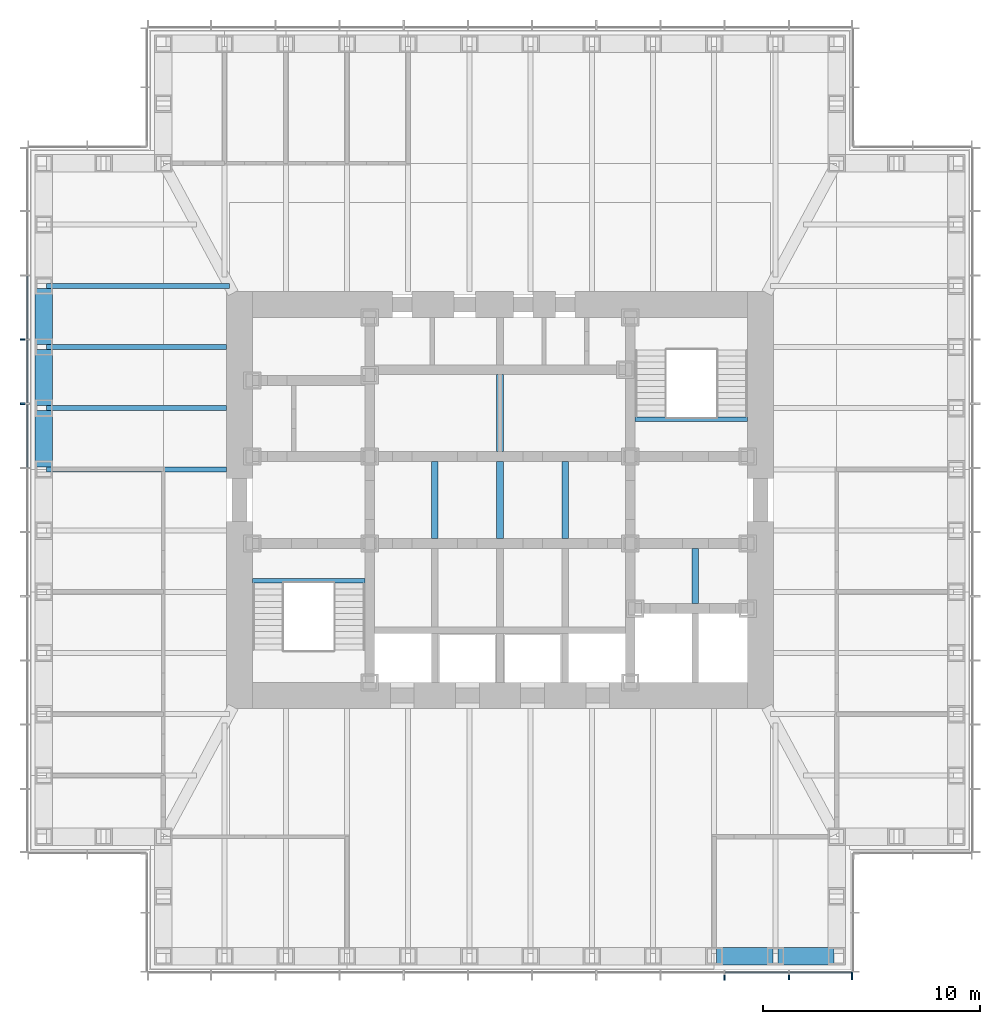
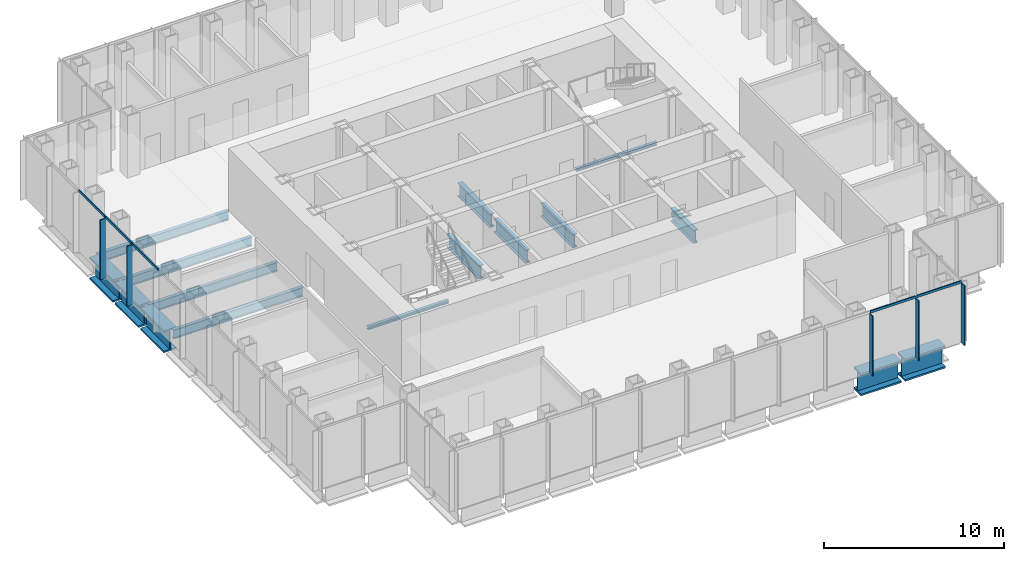
# One storey, part 3 of 16: 16 beams, 10 members, 2 elements without a shape of their own.
"""IFC4 building model written with IfcOpenShell, lengths in metres."""

from ifc_helpers import new_model, si_unit, direction, frame, origin, origin_2d, place, context, subcontext, project, spatial, rectangle, i_section, extrude, material, material_profile, profile_set, type_object, element, aggregate, save


model = new_model("IFC4")

# Units and contexts
model_context = context("Model", 3, precision=1e-05, world=origin(), true_north=direction((0.0, 1.0)))
body_context = subcontext(model_context, "Body", "Model", "MODEL_VIEW")
ifc_project = project(units=[si_unit("LENGTHUNIT", "METRE"), si_unit("AREAUNIT", "SQUARE_METRE"), si_unit("VOLUMEUNIT", "CUBIC_METRE"), si_unit("PLANEANGLEUNIT", "RADIAN"), si_unit("MASSUNIT", "GRAM", prefix="KILO")], contexts=[model_context])

# Site, building, storey
site_placement = place(None, origin())
site = spatial("IfcSite", under=ifc_project, at=site_placement, CompositionType="ELEMENT")
building_placement = place(site_placement, origin())
building = spatial("IfcBuilding", under=site, at=building_placement, Name="Daluyong Arena Tower", CompositionType="ELEMENT")
storey_placement = place(building_placement, frame((0.0, 0.0, 235.89990234375)))
storey = spatial("IfcBuildingStorey", under=building, at=storey_placement, Name="L53", CompositionType="ELEMENT", Elevation=235.89990234375)

# Curtain wall, members
ifc_material_1 = material(Name="Bronze anodised aluminium and glass", Category="aluminium")
curtain_wall_type = type_object("IfcCurtainWallType", Name="Curtain wall CW3", PredefinedType="USERDEFINED", material=ifc_material_1)
curtain_wall_1_placement = place(storey_placement, origin())
curtain_wall_1 = element("IfcCurtainWall", 1, at=curtain_wall_1_placement, inside=storey, type_object=curtain_wall_type, Name="curtain wall L53 S", ObjectType="UNITISED CURTAIN WALL", PredefinedType="USERDEFINED")
ifc_material_2 = material(Name="Bronze anodised aluminium fin", Category="aluminium")
ifc_material_profile_1 = material_profile(ifc_material_2, rectangle(XDim=0.35009765625, YDim=0.070068359375, at=origin_2d()))
ifc_profile_set_1 = profile_set([ifc_material_profile_1], Name="Bronze anodised aluminium fin")
member_type_1 = type_object("IfcMemberType", Name="CW3 bronze fin 350x70", PredefinedType="MULLION", material=ifc_profile_set_1)
member_1_placement = place(storey_placement, frame((66.3408203125, 58.074951171875, 0.0), z_axis=(0.0, 0.0, 1.0), x_axis=(0.0, 1.0, 0.0)))
member_1 = element("IfcMember", 2, at=member_1_placement, type_object=member_type_1, Name="curtain wall L53 S fin 10", PredefinedType="MULLION", context=body_context, shape_type="SweptSolid", body=[
    extrude(rectangle(XDim=0.35009765625, YDim=0.070068359375, at=origin_2d()), origin(), (0.0, 0.0, 1.0), 4.0400390625),
])
member_2_placement = place(storey_placement, frame((69.29541015625, 58.074951171875, 0.0), z_axis=(0.0, 0.0, 1.0), x_axis=(0.0, 1.0, 0.0)))
member_2 = element("IfcMember", 3, at=member_2_placement, type_object=member_type_1, Name="curtain wall L53 S fin 11", PredefinedType="MULLION", context=body_context, shape_type="SweptSolid", body=[
    extrude(rectangle(XDim=0.35009765625, YDim=0.070068359375, at=origin_2d()), origin(), (0.0, 0.0, 1.0), 4.0400390625),
])
member_3_placement = place(storey_placement, frame((72.215087890625, 58.074951171875, 0.0), z_axis=(0.0, 0.0, 1.0), x_axis=(0.0, 1.0, 0.0)))
member_3 = element("IfcMember", 4, at=member_3_placement, type_object=member_type_1, Name="curtain wall L53 S fin 12", PredefinedType="MULLION", context=body_context, shape_type="SweptSolid", body=[
    extrude(rectangle(XDim=0.35009765625, YDim=0.070068359375, at=origin_2d()), origin(), (0.0, 0.0, 1.0), 4.0400390625),
])

curtain_wall_2_placement = place(storey_placement, origin())
curtain_wall_2 = element("IfcCurtainWall", 5, at=curtain_wall_2_placement, inside=storey, type_object=curtain_wall_type, Name="curtain wall L53 W", ObjectType="UNITISED CURTAIN WALL", PredefinedType="USERDEFINED")
member_4_placement = place(storey_placement, frame((34.074951171875, 87.386474609375, 0.0), z_axis=(0.0, 0.0, 1.0), x_axis=(1.0, 0.0, 0.0)))
member_4 = element("IfcMember", 6, at=member_4_placement, type_object=member_type_1, Name="curtain wall L53 W fin 4", PredefinedType="MULLION", context=body_context, shape_type="SweptSolid", body=[
    extrude(rectangle(XDim=0.35009765625, YDim=0.070068359375, at=origin_2d()), origin(), (0.0, 0.0, 1.0), 4.0400390625),
])
member_5_placement = place(storey_placement, frame((34.074951171875, 84.431884765625, 0.0), z_axis=(0.0, 0.0, 1.0), x_axis=(1.0, 0.0, 0.0)))
member_5 = element("IfcMember", 7, at=member_5_placement, type_object=member_type_1, Name="curtain wall L53 W fin 5", PredefinedType="MULLION", context=body_context, shape_type="SweptSolid", body=[
    extrude(rectangle(XDim=0.35009765625, YDim=0.070068359375, at=origin_2d()), origin(), (0.0, 0.0, 1.0), 4.0400390625),
])

# Member
ifc_material_3 = material(Name="Bronze anodised aluminium", Category="aluminium")
ifc_material_profile_2 = material_profile(ifc_material_3, rectangle(XDim=0.070068359375, YDim=0.159912109375, at=origin_2d()))
ifc_profile_set_2 = profile_set([ifc_material_profile_2], Name="Bronze anodised aluminium")
member_type_2 = type_object("IfcMemberType", Name="CW3 stack transom 160x70", PredefinedType="USERDEFINED", material=ifc_profile_set_2)
member_6_placement = place(storey_placement, frame((66.3759765625, 58.25, 4.1201171875), z_axis=(1.0, 0.0, 0.0), x_axis=(0.0, 1.0, 0.0)))
member_6 = element("IfcMember", 8, at=member_6_placement, type_object=member_type_2, Name="curtain wall L53 S transom 10", ObjectType="TRANSOM", PredefinedType="USERDEFINED", context=body_context, shape_type="SweptSolid", body=[
    extrude(rectangle(XDim=0.070068359375, YDim=0.159912109375, at=origin_2d()), origin(), (0.0, 0.0, 1.0), 2.884521484375),
])

member_7_placement = place(storey_placement, frame((69.33056640625, 58.25, 4.1201171875), z_axis=(1.0, 0.0, 0.0), x_axis=(0.0, 1.0, 0.0)))
member_7 = element("IfcMember", 9, at=member_7_placement, type_object=member_type_2, Name="curtain wall L53 S transom 11", ObjectType="TRANSOM", PredefinedType="USERDEFINED", context=body_context, shape_type="SweptSolid", body=[
    extrude(rectangle(XDim=0.070068359375, YDim=0.159912109375, at=origin_2d()), origin(), (0.0, 0.0, 1.0), 2.849365234375),
])

aggregate(curtain_wall_1, [member_1, member_2, member_3, member_6, member_7])

member_8_placement = place(storey_placement, frame((34.25, 90.305908203125, 4.1201171875), z_axis=(0.0, -1.0, 0.0), x_axis=(1.0, 0.0, 0.0)))
member_8 = element("IfcMember", 10, at=member_8_placement, type_object=member_type_2, Name="curtain wall L53 W transom 3", ObjectType="TRANSOM", PredefinedType="USERDEFINED", context=body_context, shape_type="SweptSolid", body=[
    extrude(rectangle(XDim=0.070068359375, YDim=0.159912109375, at=origin_2d()), origin(), (0.0, 0.0, 1.0), 2.884521484375),
])

member_9_placement = place(storey_placement, frame((34.25, 87.351318359375, 4.1201171875), z_axis=(0.0, -1.0, 0.0), x_axis=(1.0, 0.0, 0.0)))
member_9 = element("IfcMember", 11, at=member_9_placement, type_object=member_type_2, Name="curtain wall L53 W transom 4", ObjectType="TRANSOM", PredefinedType="USERDEFINED", context=body_context, shape_type="SweptSolid", body=[
    extrude(rectangle(XDim=0.070068359375, YDim=0.159912109375, at=origin_2d()), origin(), (0.0, 0.0, 1.0), 2.884521484375),
])

member_10_placement = place(storey_placement, frame((34.25, 84.396728515625, 4.1201171875), z_axis=(0.0, -1.0, 0.0), x_axis=(1.0, 0.0, 0.0)))
member_10 = element("IfcMember", 12, at=member_10_placement, type_object=member_type_2, Name="curtain wall L53 W transom 5", ObjectType="TRANSOM", PredefinedType="USERDEFINED", context=body_context, shape_type="SweptSolid", body=[
    extrude(rectangle(XDim=0.070068359375, YDim=0.159912109375, at=origin_2d()), origin(), (0.0, 0.0, 1.0), 2.884521484375),
])

aggregate(curtain_wall_2, [member_4, member_5, member_8, member_9, member_10])

# Beams
ifc_material_4 = material(Name="Steel ASTM A992 Grade 50", Category="steel")
ifc_material_profile_3 = material_profile(ifc_material_4, i_section(OverallWidth=0.22900390625, OverallDepth=0.612060546875, WebThickness=0.011962890625, FlangeThickness=0.01953125, at=origin_2d()))
ifc_profile_set_3 = profile_set([ifc_material_profile_3], Name="Steel ASTM A992 Grade 50")
beam_type_1 = type_object("IfcBeamType", Name="Floor beam W24X84", PredefinedType="BEAM", material=ifc_profile_set_3)
beam_1_placement = place(storey_placement, frame((35.114990234375, 89.863525390625, -0.466064453125), z_axis=(1.0, 0.0, 0.0), x_axis=(0.0, 1.0, 0.0)))
element("IfcBeam", 13, at=beam_1_placement, inside=storey, type_object=beam_type_1, Name="floor beam FB3", PredefinedType="BEAM", context=body_context, shape_type="SweptSolid", body=[
    extrude(i_section(OverallWidth=0.22900390625, OverallDepth=0.612060546875, WebThickness=0.011962890625, FlangeThickness=0.01953125, at=origin_2d()), origin(), (0.0, 0.0, 1.0), 8.419921875),
])
for number, where, z_axis, x_axis, name in (
    (14, (35.114990234375, 87.04541015625, -0.466064453125), (1.0, 0.0, 0.0), (0.0, 1.0, 0.0), "floor beam FB3"),
    (15, (35.114990234375, 84.227294921875, -0.466064453125), (1.0, 0.0, 0.0), (0.0, 1.0, 0.0), "floor beam FB3"),
    (16, (35.114990234375, 81.4091796875, -0.466064453125), (1.0, 0.0, 0.0), (0.0, 1.0, 0.0), "floor beam FB3"),
):
    element("IfcBeam", number, at=place(storey_placement, frame(where, z_axis=z_axis, x_axis=x_axis)), inside=storey, type_object=beam_type_1, Name=name, PredefinedType="BEAM", context=body_context, shape_type="SweptSolid", body=[
        extrude(i_section(OverallWidth=0.22900390625, OverallDepth=0.612060546875, WebThickness=0.011962890625, FlangeThickness=0.01953125, at=origin_2d()), origin(), (0.0, 0.0, 1.0), 8.284912109375),
    ])
ifc_material_5 = material(Name="Steel ASTM A572 Grade 50", Category="steel")
ifc_material_profile_4 = material_profile(ifc_material_5, i_section(OverallWidth=0.300048828125, OverallDepth=0.89990234375, WebThickness=0.025, FlangeThickness=0.04, at=origin_2d()))
ifc_profile_set_4 = profile_set([ifc_material_profile_4], Name="Steel ASTM A572 Grade 50")
beam_type_2 = type_object("IfcBeamType", Name="Lift divider beam PG900X300", PredefinedType="BEAM", material=ifc_profile_set_4)
for number, where, z_axis, x_axis, name in (
    (17, (53.0, 78.22509765625, -0.60986328125), (0.0, 1.0, 0.0), (-1.0, 0.0, 0.0), "lift divider beam DB1"),
    (18, (56.0, 78.22509765625, -0.60986328125), (0.0, 1.0, 0.0), (-1.0, 0.0, 0.0), "lift divider beam DB1"),
    (19, (56.0, 82.22509765625, -0.60986328125), (0.0, 1.0, 0.0), (-1.0, 0.0, 0.0), "lift divider beam DB1"),
    (20, (59.0, 78.22509765625, -0.60986328125), (0.0, 1.0, 0.0), (-1.0, 0.0, 0.0), "lift divider beam DB1"),
):
    element("IfcBeam", number, at=place(storey_placement, frame(where, z_axis=z_axis, x_axis=x_axis)), inside=storey, type_object=beam_type_2, Name=name, PredefinedType="BEAM", context=body_context, shape_type="SweptSolid", body=[
        extrude(i_section(OverallWidth=0.300048828125, OverallDepth=0.89990234375, WebThickness=0.025, FlangeThickness=0.04, at=origin_2d()), origin(), (0.0, 0.0, 1.0), 3.5498046875),
    ])
beam_2_placement = place(storey_placement, frame((65.0, 75.22509765625, -0.60986328125), z_axis=(0.0, 1.0, 0.0), x_axis=(-1.0, 0.0, 0.0)))
element("IfcBeam", 21, at=beam_2_placement, inside=storey, type_object=beam_type_2, Name="lift divider beam DB1", PredefinedType="BEAM", context=body_context, shape_type="SweptSolid", body=[
    extrude(i_section(OverallWidth=0.300048828125, OverallDepth=0.89990234375, WebThickness=0.025, FlangeThickness=0.04, at=origin_2d()), origin(), (0.0, 0.0, 1.0), 2.5498046875),
])
ifc_material_6 = material(Name="Steel ASTM A588 Grade 50", Category="steel")
ifc_material_profile_5 = material_profile(ifc_material_6, i_section(OverallWidth=0.800048828125, OverallDepth=1.5, WebThickness=0.05, FlangeThickness=0.12, at=origin_2d()))
ifc_profile_set_5 = profile_set([ifc_material_profile_5], Name="Steel ASTM A588 Grade 50")
beam_type_3 = type_object("IfcBeamType", Name="Spandrel Z3 PG1500X800", PredefinedType="SPANDREL", material=ifc_profile_set_5)
beam_3_placement = place(storey_placement, frame((65.978515625, 59.0, -0.909912109375), z_axis=(1.0, 0.0, 0.0), x_axis=(0.0, 1.0, 0.0)))
element("IfcBeam", 22, at=beam_3_placement, inside=storey, type_object=beam_type_3, Name="spandrel z3 SB7", PredefinedType="SPANDREL", context=body_context, shape_type="SweptSolid", body=[
    extrude(i_section(OverallWidth=0.800048828125, OverallDepth=1.5, WebThickness=0.05, FlangeThickness=0.12, at=origin_2d()), origin(), (0.0, 0.0, 1.0), 2.58837890625),
])
for number, where, z_axis, x_axis, name in (
    (23, (68.796875, 59.0, -0.909912109375), (1.0, 0.0, 0.0), (0.0, 1.0, 0.0), "spandrel z3 SB7"),
    (24, (35.0, 89.74853515625, -0.909912109375), (0.0, -1.0, 0.0), (1.0, 0.0, 0.0), "spandrel z3 SB7"),
    (25, (35.0, 86.930419921875, -0.909912109375), (0.0, -1.0, 0.0), (1.0, 0.0, 0.0), "spandrel z3 SB7"),
    (26, (35.0, 84.1123046875, -0.909912109375), (0.0, -1.0, 0.0), (1.0, 0.0, 0.0), "spandrel z3 SB7"),
):
    element("IfcBeam", number, at=place(storey_placement, frame(where, z_axis=z_axis, x_axis=x_axis)), inside=storey, type_object=beam_type_3, Name=name, PredefinedType="SPANDREL", context=body_context, shape_type="SweptSolid", body=[
        extrude(i_section(OverallWidth=0.800048828125, OverallDepth=1.5, WebThickness=0.05, FlangeThickness=0.12, at=origin_2d()), origin(), (0.0, 0.0, 1.0), 2.588134765625),
    ])
ifc_material_7 = material(Name="Steel ASTM A992 Grade 50", Category="steel")
ifc_material_profile_6 = material_profile(ifc_material_7, i_section(OverallWidth=0.203125, OverallDepth=0.203125, WebThickness=0.00732421875, FlangeThickness=0.010986328125, at=origin_2d()))
ifc_profile_set_6 = profile_set([ifc_material_profile_6], Name="Steel ASTM A992 Grade 50")
beam_type_4 = type_object("IfcBeamType", Name="Stair landing beam W8X31", PredefinedType="BEAM", material=ifc_profile_set_6)
for number, where, z_axis, x_axis, name in (
    (27, (44.60009765625, 76.276611328125, -0.261474609375), (1.0, 0.0, 0.0), (0.0, 1.0, 0.0), "exit stair A landing beam"),
    (28, (62.22509765625, 83.723388671875, -0.261474609375), (1.0, 0.0, 0.0), (0.0, 1.0, 0.0), "exit stair B landing beam"),
):
    element("IfcBeam", number, at=place(storey_placement, frame(where, z_axis=z_axis, x_axis=x_axis)), inside=storey, type_object=beam_type_4, Name=name, PredefinedType="BEAM", context=body_context, shape_type="SweptSolid", body=[
        extrude(i_section(OverallWidth=0.203125, OverallDepth=0.203125, WebThickness=0.00732421875, FlangeThickness=0.010986328125, at=origin_2d()), origin(), (0.0, 0.0, 1.0), 5.1748046875),
    ])

save(model, "model.ifc")
